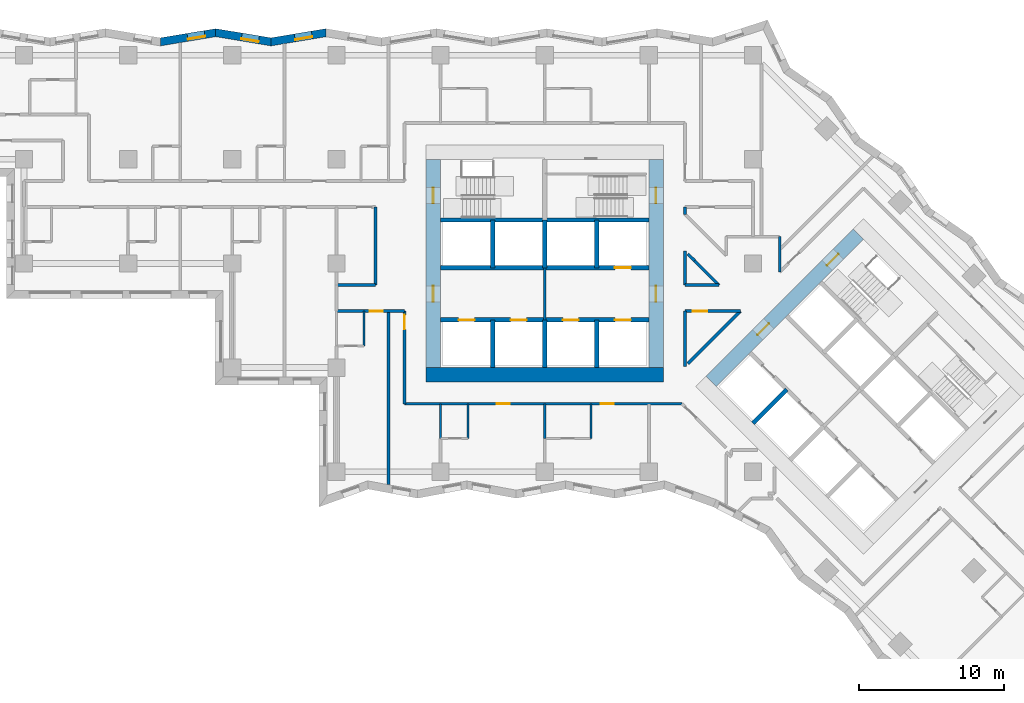
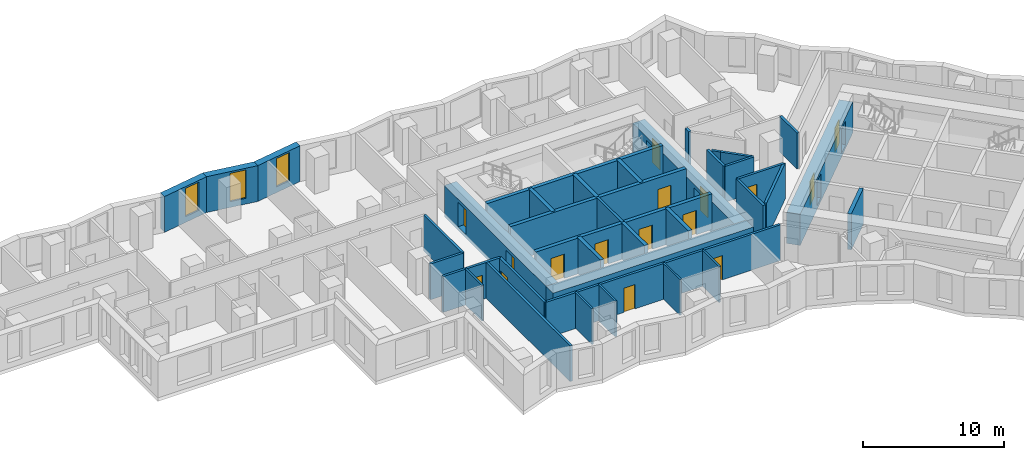
# One storey, part 5 of 13: 39 walls, 16 doors, 3 windows, 19 openings.
"""IFC4 building model written with IfcOpenShell, lengths in metres."""

from ifc_helpers import new_model, si_unit, direction, frame, frame_2d, origin, place, context, subcontext, project, spatial, polyline, rectangle, outline, extrude, material, layer, layer_set, type_object, element, fill, save


model = new_model("IFC4")

# Units and contexts
model_context = context("Model", 3, precision=1e-05, world=origin(), true_north=direction((0.0, 1.0)))
body_context = subcontext(model_context, "Body", "Model", "MODEL_VIEW")
ifc_project = project(units=[si_unit("LENGTHUNIT", "METRE"), si_unit("AREAUNIT", "SQUARE_METRE"), si_unit("VOLUMEUNIT", "CUBIC_METRE"), si_unit("PLANEANGLEUNIT", "RADIAN"), si_unit("MASSUNIT", "GRAM", prefix="KILO")], contexts=[model_context])

# Site, building, storey
site_placement = place(None, origin())
site = spatial("IfcSite", under=ifc_project, at=site_placement, CompositionType="ELEMENT")
building_placement = place(site_placement, origin())
building = spatial("IfcBuilding", under=site, at=building_placement, Name="Windrow Commons", CompositionType="ELEMENT")
storey_placement = place(building_placement, frame((0.0, 0.0, 64.4)))
storey = spatial("IfcBuildingStorey", under=building, at=storey_placement, Name="L17", CompositionType="ELEMENT", Elevation=64.4)

# Wall, opening, window
ifc_material_1 = material(Name="Brick masonry, red clay brick", Category="masonry")
ifc_layer_1 = layer(ifc_material_1, 0.55)
ifc_layer_set_1 = layer_set([ifc_layer_1], Name="Brick facade wall 550")
wall_type_1 = type_object("IfcWallType", Name="Brick facade wall 550", PredefinedType="SOLIDWALL", material=ifc_layer_set_1)
wall_1_placement = place(storey_placement, frame((49.6853, 73.5542, 0.0), z_axis=(0.0, 0.0, 1.0), x_axis=(-0.9865110911, -0.1636944324, 0.0)))
wall_1 = element("IfcWall", 1, at=wall_1_placement, inside=storey, type_object=wall_type_1, Name="Brick facade wall L17 31", PredefinedType="SOLIDWALL", context=body_context, shape_type="SweptSolid", body=[
    extrude(outline(polyline([(-0.0456, -0.275), (3.8213, -0.275), (3.9126, 0.275), (0.0456, 0.275), (-0.0456, -0.275)])), origin(), (0.0, 0.0, 1.0), 3.1),
])
opening_1_placement = place(wall_1_placement, frame((0.9852, 0.0, 0.5)))
opening_1 = element("IfcOpeningElement", 2, at=opening_1_placement, cuts=wall_1, Name="Opening W7D", PredefinedType="OPENING", context=body_context, shape_type="SweptSolid", body=[
    extrude(rectangle(XDim=1.2, YDim=2.45, at=frame_2d((0.6, 1.225))), frame((0.0, 0.285, 0.0), z_axis=(0.0, -1.0, 0.0), x_axis=(1.0, 0.0, 0.0)), (0.0, 0.0, 1.0), 0.57),
])
ifc_material_2 = material(Name="Clear float glass in anodised aluminium frame", Category="aluminium")
window_type = type_object("IfcWindowType", Name="Window W7 notch 1200x2450", PartitioningType="SINGLE_PANEL", PredefinedType="WINDOW", material=ifc_material_2)
window_1_placement = place(opening_1_placement, origin())
window_1 = element("IfcWindow", 3, at=window_1_placement, inside=storey, type_object=window_type, Name="Window L17 31.1", OverallHeight=2.45, OverallWidth=1.2, PartitioningType="SINGLE_PANEL", PredefinedType="WINDOW", context=body_context, shape_type="SweptSolid", body=[
    extrude(rectangle(XDim=1.2, YDim=2.45, at=frame_2d((0.6, 1.225))), frame((0.0, 0.155, 0.0), z_axis=(0.0, -1.0, 0.0), x_axis=(1.0, 0.0, 0.0)), (0.0, 0.0, 1.0), 0.06),
])
fill(opening_1, window_1)

wall_2_placement = place(storey_placement, frame((45.8705, 72.9212, 0.0), z_axis=(0.0, 0.0, 1.0), x_axis=(-0.9865110911, 0.1636944324, 0.0)))
wall_2 = element("IfcWall", 4, at=wall_2_placement, inside=storey, type_object=wall_type_1, Name="Brick facade wall L17 32", PredefinedType="SOLIDWALL", context=body_context, shape_type="SweptSolid", body=[
    extrude(outline(polyline([(0.0456, -0.275), (3.9126, -0.275), (3.8213, 0.275), (-0.0456, 0.275), (0.0456, -0.275)])), origin(), (0.0, 0.0, 1.0), 3.1),
])
opening_2_placement = place(wall_2_placement, frame((0.8535, 0.0, 0.5)))
opening_2 = element("IfcOpeningElement", 5, at=opening_2_placement, cuts=wall_2, Name="Opening W7D", PredefinedType="OPENING", context=body_context, shape_type="SweptSolid", body=[
    extrude(rectangle(XDim=1.2, YDim=2.45, at=frame_2d((0.6, 1.225))), frame((0.0, 0.285, 0.0), z_axis=(0.0, -1.0, 0.0), x_axis=(1.0, 0.0, 0.0)), (0.0, 0.0, 1.0), 0.57),
])
window_2_placement = place(opening_2_placement, origin())
window_2 = element("IfcWindow", 6, at=window_2_placement, inside=storey, type_object=window_type, Name="Window L17 32.1", OverallHeight=2.45, OverallWidth=1.2, PartitioningType="SINGLE_PANEL", PredefinedType="WINDOW", context=body_context, shape_type="SweptSolid", body=[
    extrude(rectangle(XDim=1.2, YDim=2.45, at=frame_2d((0.6, 1.225))), frame((0.0, 0.155, 0.0), z_axis=(0.0, -1.0, 0.0), x_axis=(1.0, 0.0, 0.0)), (0.0, 0.0, 1.0), 0.06),
])
fill(opening_2, window_2)

wall_3_placement = place(storey_placement, frame((42.0557, 73.5542, 0.0), z_axis=(0.0, 0.0, 1.0), x_axis=(-0.9865110911, -0.1636944324, 0.0)))
wall_3 = element("IfcWall", 7, at=wall_3_placement, inside=storey, type_object=wall_type_1, Name="Brick facade wall L17 33", PredefinedType="SOLIDWALL", context=body_context, shape_type="SweptSolid", body=[
    extrude(outline(polyline([(-0.0456, -0.275), (3.8213, -0.275), (3.9126, 0.275), (0.0456, 0.275), (-0.0456, -0.275)])), origin(), (0.0, 0.0, 1.0), 3.1),
])
opening_3_placement = place(wall_3_placement, frame((0.7675, 0.0, 0.5)))
opening_3 = element("IfcOpeningElement", 8, at=opening_3_placement, cuts=wall_3, Name="Opening W7D", PredefinedType="OPENING", context=body_context, shape_type="SweptSolid", body=[
    extrude(rectangle(XDim=1.2, YDim=2.45, at=frame_2d((0.6, 1.225))), frame((0.0, 0.285, 0.0), z_axis=(0.0, -1.0, 0.0), x_axis=(1.0, 0.0, 0.0)), (0.0, 0.0, 1.0), 0.57),
])
window_3_placement = place(opening_3_placement, origin())
window_3 = element("IfcWindow", 9, at=window_3_placement, inside=storey, type_object=window_type, Name="Window L17 33.1", OverallHeight=2.45, OverallWidth=1.2, PartitioningType="SINGLE_PANEL", PredefinedType="WINDOW", context=body_context, shape_type="SweptSolid", body=[
    extrude(rectangle(XDim=1.2, YDim=2.45, at=frame_2d((0.6, 1.225))), frame((0.0, 0.155, 0.0), z_axis=(0.0, -1.0, 0.0), x_axis=(1.0, 0.0, 0.0)), (0.0, 0.0, 1.0), 0.06),
])
fill(opening_3, window_3)

# Wall
ifc_material_3 = material(Name="Blockwork partition", Category="masonry")
ifc_layer_2 = layer(ifc_material_3, 0.2)
ifc_layer_set_2 = layer_set([ifc_layer_2], Name="Fire lobby partition 200")
wall_type_2 = type_object("IfcWallType", Name="Fire lobby partition 200", PredefinedType="PARTITIONING", material=ifc_layer_set_2)
wall_4_placement = place(storey_placement, frame((64.8, 53.7, 0.0), z_axis=(0.0, 0.0, 1.0), x_axis=(0.0, 1.0, 0.0)))
element("IfcWall", 10, at=wall_4_placement, inside=storey, type_object=wall_type_2, Name="W-core-lobby-A-L17", PredefinedType="PARTITIONING", context=body_context, shape_type="SweptSolid", body=[
    extrude(rectangle(XDim=3.6, YDim=0.2, at=frame_2d((1.8, 0.0))), origin(), (0.0, 0.0, 1.0), 3.1),
])

# Wall, openings, doors
ifc_material_4 = material(Name="Blockwork partition", Category="masonry")
ifc_layer_3 = layer(ifc_material_4, 0.2)
ifc_layer_set_3 = layer_set([ifc_layer_3], Name="IW-CORRIDOR-200")
wall_type_3 = type_object("IfcWallType", Name="IW-CORRIDOR-200", PredefinedType="PARTITIONING", material=ifc_layer_set_3)
wall_5_placement = place(storey_placement, frame((55.1, 47.9, 0.0), z_axis=(0.0, 0.0, 1.0), x_axis=(1.0, 0.0, 0.0)))
wall_5 = element("IfcWall", 11, at=wall_5_placement, inside=storey, type_object=wall_type_3, Name="W-L17-W003", PredefinedType="PARTITIONING", context=body_context, shape_type="SweptSolid", body=[
    extrude(rectangle(XDim=19.208, YDim=0.2, at=frame_2d((9.604, 0.0))), origin(), (0.0, 0.0, 1.0), 3.1),
])
opening_4_placement = place(wall_5_placement, frame((6.3994, 0.0, 0.0)))
opening_4 = element("IfcOpeningElement", 12, at=opening_4_placement, cuts=wall_5, Name="Opening D109F", PredefinedType="OPENING", context=body_context, shape_type="SweptSolid", body=[
    extrude(rectangle(XDim=0.9, YDim=2.1, at=frame_2d((0.45, 1.05))), frame((0.0, 0.11, 0.0), z_axis=(0.0, -1.0, 0.0), x_axis=(1.0, 0.0, 0.0)), (0.0, 0.0, 1.0), 0.22),
])
opening_5_placement = place(wall_5_placement, frame((13.5607, 0.0, 0.0)))
opening_5 = element("IfcOpeningElement", 13, at=opening_5_placement, cuts=wall_5, Name="Opening D109F", PredefinedType="OPENING", context=body_context, shape_type="SweptSolid", body=[
    extrude(rectangle(XDim=0.9, YDim=2.1, at=frame_2d((0.45, 1.05))), frame((0.0, 0.11, 0.0), z_axis=(0.0, -1.0, 0.0), x_axis=(1.0, 0.0, 0.0)), (0.0, 0.0, 1.0), 0.22),
])
ifc_material_5 = material(Name="Timber door leaf", Category="wood")
door_type_1 = type_object("IfcDoorType", Name="DT-BEDROOM-900", OperationType="SINGLE_SWING_LEFT", PredefinedType="DOOR", material=ifc_material_5)
door_1_placement = place(opening_4_placement, origin())
door_1 = element("IfcDoor", 14, at=door_1_placement, inside=storey, type_object=door_type_1, Name="D-L17-D029", OperationType="SINGLE_SWING_LEFT", OverallHeight=2.1, OverallWidth=0.9, PredefinedType="DOOR", context=body_context, shape_type="SweptSolid", body=[
    extrude(rectangle(XDim=0.9, YDim=2.1, at=frame_2d((0.45, 1.05))), frame((0.0, 0.025, 0.0), z_axis=(0.0, -1.0, 0.0), x_axis=(1.0, 0.0, 0.0)), (0.0, 0.0, 1.0), 0.05),
])
fill(opening_4, door_1)
door_2_placement = place(opening_5_placement, origin())
door_2 = element("IfcDoor", 15, at=door_2_placement, inside=storey, type_object=door_type_1, Name="D-L17-D031", OperationType="SINGLE_SWING_LEFT", OverallHeight=2.1, OverallWidth=0.9, PredefinedType="DOOR", context=body_context, shape_type="SweptSolid", body=[
    extrude(rectangle(XDim=0.9, YDim=2.1, at=frame_2d((0.45, 1.05))), frame((0.0, 0.025, 0.0), z_axis=(0.0, -1.0, 0.0), x_axis=(1.0, 0.0, 0.0)), (0.0, 0.0, 1.0), 0.05),
])
fill(opening_5, door_2)

# Wall, opening, door
wall_6_placement = place(storey_placement, frame((55.1, 47.9, 0.0), z_axis=(0.0, 0.0, 1.0), x_axis=(0.0, 1.0, 0.0)))
wall_6 = element("IfcWall", 16, at=wall_6_placement, inside=storey, type_object=wall_type_3, Name="W-L17-W027", PredefinedType="PARTITIONING", context=body_context, shape_type="SweptSolid", body=[
    extrude(rectangle(XDim=6.4, YDim=0.2, at=frame_2d((3.2, 0.0))), origin(), (0.0, 0.0, 1.0), 3.1),
])
opening_6_placement = place(wall_6_placement, frame((5.1407, 0.0, 0.0)))
opening_6 = element("IfcOpeningElement", 17, at=opening_6_placement, cuts=wall_6, Name="Opening D310F", PredefinedType="OPENING", context=body_context, shape_type="SweptSolid", body=[
    extrude(rectangle(XDim=1.0, YDim=2.1, at=frame_2d((0.5, 1.05))), frame((0.0, 0.11, 0.0), z_axis=(0.0, -1.0, 0.0), x_axis=(1.0, 0.0, 0.0)), (0.0, 0.0, 1.0), 0.22),
])
ifc_material_6 = material(Name="Timber door leaf", Category="wood")
door_type_2 = type_object("IfcDoorType", Name="DT-AMENITY-1000", OperationType="SINGLE_SWING_LEFT", PredefinedType="DOOR", material=ifc_material_6)
door_3_placement = place(opening_6_placement, origin())
door_3 = element("IfcDoor", 18, at=door_3_placement, inside=storey, type_object=door_type_2, Name="D-L17-D024", OperationType="SINGLE_SWING_RIGHT", OverallHeight=2.1, OverallWidth=1.0, PredefinedType="DOOR", context=body_context, shape_type="SweptSolid", body=[
    extrude(rectangle(XDim=1.0, YDim=2.1, at=frame_2d((0.5, 1.05))), frame((0.0, 0.025, 0.0), z_axis=(0.0, -1.0, 0.0), x_axis=(1.0, 0.0, 0.0)), (0.0, 0.0, 1.0), 0.05),
])
fill(opening_6, door_3)

# Walls
wall_7_placement = place(storey_placement, frame((53.1, 56.102, 0.0), z_axis=(0.0, 0.0, 1.0), x_axis=(0.0, 1.0, 0.0)))
element("IfcWall", 19, at=wall_7_placement, inside=storey, type_object=wall_type_3, Name="W-L17-W035", PredefinedType="PARTITIONING", context=body_context, shape_type="SweptSolid", body=[
    extrude(rectangle(XDim=5.398, YDim=0.2, at=frame_2d((2.699, 0.0))), origin(), (0.0, 0.0, 1.0), 3.1),
])
wall_8_placement = place(storey_placement, frame((74.6987, 50.6713, 0.0), z_axis=(0.0, 0.0, 1.0), x_axis=(0.7071067812, 0.7071067812, 0.0)))
element("IfcWall", 20, at=wall_8_placement, inside=storey, type_object=wall_type_3, Name="W-L17-W036", PredefinedType="PARTITIONING", context=body_context, shape_type="SweptSolid", body=[
    extrude(rectangle(XDim=5.1308, YDim=0.2, at=frame_2d((2.5654, 0.0))), origin(), (0.0, 0.0, 1.0), 3.1),
])

# Wall, opening, door
wall_9_placement = place(storey_placement, frame((50.4, 54.3, 0.0), z_axis=(0.0, 0.0, 1.0), x_axis=(1.0, 0.0, 0.0)))
wall_9 = element("IfcWall", 21, at=wall_9_placement, inside=storey, type_object=wall_type_3, Name="W-L17-W039", PredefinedType="PARTITIONING", context=body_context, shape_type="SweptSolid", body=[
    extrude(rectangle(XDim=4.7, YDim=0.2, at=frame_2d((2.35, 0.0))), origin(), (0.0, 0.0, 1.0), 3.1),
])
opening_7_placement = place(wall_9_placement, frame((2.3, 0.0, 0.0)))
opening_7 = element("IfcOpeningElement", 22, at=opening_7_placement, cuts=wall_9, Name="Opening D109S", PredefinedType="OPENING", context=body_context, shape_type="SweptSolid", body=[
    extrude(rectangle(XDim=0.9, YDim=2.1, at=frame_2d((0.45, 1.05))), frame((0.0, 0.11, 0.0), z_axis=(0.0, -1.0, 0.0), x_axis=(1.0, 0.0, 0.0)), (0.0, 0.0, 1.0), 0.22),
])
door_4_placement = place(opening_7_placement, origin())
door_4 = element("IfcDoor", 23, at=door_4_placement, inside=storey, type_object=door_type_1, Name="D-L17-D022", OperationType="SINGLE_SWING_LEFT", OverallHeight=2.1, OverallWidth=0.9, PredefinedType="DOOR", context=body_context, shape_type="SweptSolid", body=[
    extrude(rectangle(XDim=0.9, YDim=2.1, at=frame_2d((0.45, 1.05))), frame((0.0, 0.025, 0.0), z_axis=(0.0, -1.0, 0.0), x_axis=(1.0, 0.0, 0.0)), (0.0, 0.0, 1.0), 0.05),
])
fill(opening_7, door_4)

# Wall
wall_10_placement = place(storey_placement, frame((74.5, 50.474, 0.0), z_axis=(0.0, 0.0, 1.0), x_axis=(0.0, 1.0, 0.0)))
element("IfcWall", 24, at=wall_10_placement, inside=storey, type_object=wall_type_3, Name="W-L17-W051", PredefinedType="PARTITIONING", context=body_context, shape_type="SweptSolid", body=[
    extrude(rectangle(XDim=3.826, YDim=0.2, at=frame_2d((1.913, 0.0))), origin(), (0.0, 0.0, 1.0), 3.1),
])

# Wall, opening, door
wall_11_placement = place(storey_placement, frame((74.502, 54.3, 0.0), z_axis=(0.0, 0.0, 1.0), x_axis=(1.0, 0.0, 0.0)))
wall_11 = element("IfcWall", 25, at=wall_11_placement, inside=storey, type_object=wall_type_3, Name="W-L17-W052", PredefinedType="PARTITIONING", context=body_context, shape_type="SweptSolid", body=[
    extrude(rectangle(XDim=3.824, YDim=0.2, at=frame_2d((1.912, 0.0))), origin(), (0.0, 0.0, 1.0), 3.1),
])
opening_8_placement = place(wall_11_placement, frame((0.5499, 0.0, 0.0)))
opening_8 = element("IfcOpeningElement", 26, at=opening_8_placement, cuts=wall_11, Name="Opening D310F", PredefinedType="OPENING", context=body_context, shape_type="SweptSolid", body=[
    extrude(rectangle(XDim=1.0, YDim=2.1, at=frame_2d((0.5, 1.05))), frame((0.0, 0.11, 0.0), z_axis=(0.0, -1.0, 0.0), x_axis=(1.0, 0.0, 0.0)), (0.0, 0.0, 1.0), 0.22),
])
door_5_placement = place(opening_8_placement, origin())
door_5 = element("IfcDoor", 27, at=door_5_placement, inside=storey, type_object=door_type_2, Name="D-L17-D000", OperationType="SINGLE_SWING_RIGHT", OverallHeight=2.1, OverallWidth=1.0, PredefinedType="DOOR", context=body_context, shape_type="SweptSolid", body=[
    extrude(rectangle(XDim=1.0, YDim=2.1, at=frame_2d((0.5, 1.05))), frame((0.0, 0.025, 0.0), z_axis=(0.0, -1.0, 0.0), x_axis=(1.0, 0.0, 0.0)), (0.0, 0.0, 1.0), 0.05),
])
fill(opening_8, door_5)

# Walls
wall_12_placement = place(storey_placement, frame((50.4, 56.1, 0.0), z_axis=(0.0, 0.0, 1.0), x_axis=(1.0, 0.0, 0.0)))
element("IfcWall", 28, at=wall_12_placement, inside=storey, type_object=wall_type_3, Name="W-L17-W066", PredefinedType="PARTITIONING", context=body_context, shape_type="SweptSolid", body=[
    extrude(rectangle(XDim=2.7, YDim=0.2, at=frame_2d((1.35, 0.0))), origin(), (0.0, 0.0, 1.0), 3.1),
])
wall_13_placement = place(storey_placement, frame((81.05, 57.024, 0.0), z_axis=(0.0, 0.0, 1.0), x_axis=(0.0, 1.0, 0.0)))
element("IfcWall", 29, at=wall_13_placement, inside=storey, type_object=wall_type_3, Name="W-L17-W071", PredefinedType="PARTITIONING", context=body_context, shape_type="SweptSolid", body=[
    extrude(rectangle(XDim=2.426, YDim=0.2, at=frame_2d((1.213, 0.0))), origin(), (0.0, 0.0, 1.0), 3.1),
])
wall_14_placement = place(storey_placement, frame((75.168, 57.786, 0.0), z_axis=(0.0, 0.0, 1.0), x_axis=(0.7066870088, -0.7075263045, 0.0)))
element("IfcWall", 30, at=wall_14_placement, inside=storey, type_object=wall_type_3, Name="W-L17-W109", PredefinedType="PARTITIONING", context=body_context, shape_type="SweptSolid", body=[
    extrude(rectangle(XDim=2.383, YDim=0.2, at=frame_2d((1.1915, 0.0))), origin(), (0.0, 0.0, 1.0), 3.1),
])
for number, where, z_axis, x_axis, name in (
    (31, (74.502, 56.1, 0.0), (0.0, 0.0, 1.0), (1.0, 0.0, 0.0), "W-L17-W110"),
    (32, (74.5, 56.102, 0.0), (0.0, 0.0, 1.0), (0.0, 1.0, 0.0), "W-L17-W111"),
):
    element("IfcWall", number, at=place(storey_placement, frame(where, z_axis=z_axis, x_axis=x_axis)), inside=storey, type_object=wall_type_3, Name=name, PredefinedType="PARTITIONING", context=body_context, shape_type="SweptSolid", body=[
        extrude(rectangle(XDim=2.352, YDim=0.2, at=frame_2d((1.176, 0.0))), origin(), (0.0, 0.0, 1.0), 3.1),
    ])
wall_15_placement = place(storey_placement, frame((74.7006, 58.2566, 0.0), z_axis=(0.0, 0.0, 1.0), x_axis=(0.7086128608, -0.7055974869, 0.0)))
element("IfcWall", 33, at=wall_15_placement, inside=storey, type_object=wall_type_3, Name="W-L17-W152", PredefinedType="PARTITIONING", context=body_context, shape_type="SweptSolid", body=[
    extrude(rectangle(XDim=0.6633, YDim=0.2, at=frame_2d((0.3317, 0.0))), origin(), (0.0, 0.0, 1.0), 3.1),
])
wall_16_placement = place(storey_placement, frame((74.5, 61.002, 0.0), z_axis=(0.0, 0.0, 1.0), x_axis=(0.0, 1.0, 0.0)))
element("IfcWall", 34, at=wall_16_placement, inside=storey, type_object=wall_type_3, Name="W-L17-W162", PredefinedType="PARTITIONING", context=body_context, shape_type="SweptSolid", body=[
    extrude(rectangle(XDim=0.498, YDim=0.2, at=frame_2d((0.249, 0.0))), origin(), (0.0, 0.0, 1.0), 3.1),
])
ifc_material_7 = material(Name="Blockwork partition", Category="masonry")
ifc_layer_4 = layer(ifc_material_7, 0.15)
ifc_layer_set_4 = layer_set([ifc_layer_4], Name="IW-ENSUITE-150")
wall_type_4 = type_object("IfcWallType", Name="IW-ENSUITE-150", PredefinedType="PARTITIONING", material=ifc_layer_set_4)
for number, where, z_axis, x_axis, name in (
    (35, (52.3, 51.9, 0.0), (0.0, 0.0, 1.0), (0.0, 1.0, 0.0), "W-L17-W090"),
    (36, (59.5, 45.5, 0.0), (0.0, 0.0, 1.0), (0.0, 1.0, 0.0), "W-L17-W092"),
    (37, (57.6, 45.5, 0.0), (0.0, 0.0, 1.0), (0.0, 1.0, 0.0), "W-L17-W093"),
    (38, (68.0, 45.5, 0.0), (0.0, 0.0, 1.0), (0.0, 1.0, 0.0), "W-L17-W094"),
    (39, (64.8, 45.5, 0.0), (0.0, 0.0, 1.0), (0.0, 1.0, 0.0), "W-L17-W095"),
):
    element("IfcWall", number, at=place(storey_placement, frame(where, z_axis=z_axis, x_axis=x_axis)), inside=storey, type_object=wall_type_4, Name=name, PredefinedType="PARTITIONING", context=body_context, shape_type="SweptSolid", body=[
        extrude(rectangle(XDim=2.4, YDim=0.15, at=frame_2d((1.2, 0.0))), origin(), (0.0, 0.0, 1.0), 3.1),
    ])
ifc_material_8 = material(Name="Blockwork partition", Category="masonry")
ifc_layer_5 = layer(ifc_material_8, 0.2)
ifc_layer_set_5 = layer_set([ifc_layer_5], Name="IW-PARTY-200")
wall_type_5 = type_object("IfcWallType", Name="IW-PARTY-200", PredefinedType="PARTITIONING", material=ifc_layer_set_5)
wall_17_placement = place(storey_placement, frame((54.0, 42.3004, 0.0), z_axis=(0.0, 0.0, 1.0), x_axis=(0.0, 1.0, 0.0)))
element("IfcWall", 40, at=wall_17_placement, inside=storey, type_object=wall_type_5, Name="W-L17-W007", PredefinedType="PARTITIONING", context=body_context, shape_type="SweptSolid", body=[
    extrude(rectangle(XDim=11.9996, YDim=0.2, at=frame_2d((5.9998, 0.0))), origin(), (0.0, 0.0, 1.0), 3.1),
])
ifc_material_9 = material(Name="Concrete C60/75", Category="concrete")
ifc_layer_6 = layer(ifc_material_9, 1.0)
ifc_layer_set_6 = layer_set([ifc_layer_6], Name="RC CORE WALL 1000 C60/75")
wall_type_6 = type_object("IfcWallType", Name="RC CORE WALL 1000 C60/75", PredefinedType="SHEAR", material=ifc_layer_set_6)
wall_18_placement = place(storey_placement, frame((56.6, 49.9, -0.3), z_axis=(0.0, 0.0, 1.0), x_axis=(1.0, 0.0, 0.0)))
element("IfcWall", 41, at=wall_18_placement, inside=storey, type_object=wall_type_6, Name="Core A wall outer-S", PredefinedType="SHEAR", context=body_context, shape_type="SweptSolid", body=[
    extrude(rectangle(XDim=16.4, YDim=1.0, at=frame_2d((8.2, 0.0))), origin(), (0.0, 0.0, 1.0), 2.7),
])

# Wall, openings, doors
wall_19_placement = place(storey_placement, frame((57.1, 50.4, -0.3), z_axis=(0.0, 0.0, 1.0), x_axis=(0.0, 1.0, 0.0)))
wall_19 = element("IfcWall", 42, at=wall_19_placement, inside=storey, type_object=wall_type_6, Name="Core A wall outer-W", PredefinedType="SHEAR", context=body_context, shape_type="SweptSolid", body=[
    extrude(rectangle(XDim=14.4, YDim=1.0, at=frame_2d((7.2, 0.0))), origin(), (0.0, 0.0, 1.0), 2.7),
])
opening_9_placement = place(wall_19_placement, frame((4.55, 0.0, 0.3)))
opening_9 = element("IfcOpeningElement", 43, at=opening_9_placement, cuts=wall_19, Name="Opening D6", PredefinedType="OPENING", context=body_context, shape_type="SweptSolid", body=[
    extrude(rectangle(XDim=1.1, YDim=2.1, at=frame_2d((0.55, 1.05))), frame((0.0, 0.51, 0.0), z_axis=(0.0, -1.0, 0.0), x_axis=(1.0, 0.0, 0.0)), (0.0, 0.0, 1.0), 1.02),
])
opening_10_placement = place(wall_19_placement, frame((11.35, 0.0, 0.3)))
opening_10 = element("IfcOpeningElement", 44, at=opening_10_placement, cuts=wall_19, Name="Opening D7", PredefinedType="OPENING", context=body_context, shape_type="SweptSolid", body=[
    extrude(rectangle(XDim=1.1, YDim=2.1, at=frame_2d((0.55, 1.05))), frame((0.0, 0.51, 0.0), z_axis=(0.0, -1.0, 0.0), x_axis=(1.0, 0.0, 0.0)), (0.0, 0.0, 1.0), 1.02),
])
ifc_material_10 = material(Name="Steel fire door leaf", Category="steel")
door_type_3 = type_object("IfcDoorType", Name="Core lobby door 1100", OperationType="SINGLE_SWING_LEFT", PredefinedType="DOOR", material=ifc_material_10)
door_6_placement = place(opening_9_placement, origin())
door_6 = element("IfcDoor", 45, at=door_6_placement, inside=storey, type_object=door_type_3, Name="Lift lobby door", OperationType="DOUBLE_DOOR_SINGLE_SWING", OverallHeight=2.1, OverallWidth=1.1, PredefinedType="DOOR", context=body_context, shape_type="SweptSolid", body=[
    extrude(rectangle(XDim=1.1, YDim=2.1, at=frame_2d((0.55, 1.05))), frame((0.0, 0.025, 0.0), z_axis=(0.0, -1.0, 0.0), x_axis=(1.0, 0.0, 0.0)), (0.0, 0.0, 1.0), 0.05),
])
fill(opening_9, door_6)
ifc_material_11 = material(Name="Steel fire door leaf", Category="steel")
door_type_4 = type_object("IfcDoorType", Name="Stair door 1100", OperationType="SINGLE_SWING_LEFT", PredefinedType="DOOR", material=ifc_material_11)
door_7_placement = place(opening_10_placement, origin())
door_7 = element("IfcDoor", 46, at=door_7_placement, inside=storey, type_object=door_type_4, Name="Stair door", OperationType="SINGLE_SWING_LEFT", OverallHeight=2.1, OverallWidth=1.1, PredefinedType="DOOR", context=body_context, shape_type="SweptSolid", body=[
    extrude(rectangle(XDim=1.1, YDim=2.1, at=frame_2d((0.55, 1.05))), frame((0.0, 0.025, 0.0), z_axis=(0.0, -1.0, 0.0), x_axis=(1.0, 0.0, 0.0)), (0.0, 0.0, 1.0), 0.05),
])
fill(opening_10, door_7)

wall_20_placement = place(storey_placement, frame((72.5, 50.4, -0.3), z_axis=(0.0, 0.0, 1.0), x_axis=(0.0, 1.0, 0.0)))
wall_20 = element("IfcWall", 47, at=wall_20_placement, inside=storey, type_object=wall_type_6, Name="Core A wall outer-E", PredefinedType="SHEAR", context=body_context, shape_type="SweptSolid", body=[
    extrude(rectangle(XDim=14.4, YDim=1.0, at=frame_2d((7.2, 0.0))), origin(), (0.0, 0.0, 1.0), 2.7),
])
opening_11_placement = place(wall_20_placement, frame((4.55, 0.0, 0.3)))
opening_11 = element("IfcOpeningElement", 48, at=opening_11_placement, cuts=wall_20, Name="Opening D6", PredefinedType="OPENING", context=body_context, shape_type="SweptSolid", body=[
    extrude(rectangle(XDim=1.1, YDim=2.1, at=frame_2d((0.55, 1.05))), frame((0.0, 0.51, 0.0), z_axis=(0.0, -1.0, 0.0), x_axis=(1.0, 0.0, 0.0)), (0.0, 0.0, 1.0), 1.02),
])
opening_12_placement = place(wall_20_placement, frame((11.35, 0.0, 0.3)))
opening_12 = element("IfcOpeningElement", 49, at=opening_12_placement, cuts=wall_20, Name="Opening D7", PredefinedType="OPENING", context=body_context, shape_type="SweptSolid", body=[
    extrude(rectangle(XDim=1.1, YDim=2.1, at=frame_2d((0.55, 1.05))), frame((0.0, 0.51, 0.0), z_axis=(0.0, -1.0, 0.0), x_axis=(1.0, 0.0, 0.0)), (0.0, 0.0, 1.0), 1.02),
])
door_8_placement = place(opening_11_placement, origin())
door_8 = element("IfcDoor", 50, at=door_8_placement, inside=storey, type_object=door_type_3, Name="Lift lobby door", OperationType="DOUBLE_DOOR_SINGLE_SWING", OverallHeight=2.1, OverallWidth=1.1, PredefinedType="DOOR", context=body_context, shape_type="SweptSolid", body=[
    extrude(rectangle(XDim=1.1, YDim=2.1, at=frame_2d((0.55, 1.05))), frame((0.0, 0.025, 0.0), z_axis=(0.0, -1.0, 0.0), x_axis=(1.0, 0.0, 0.0)), (0.0, 0.0, 1.0), 0.05),
])
fill(opening_11, door_8)
door_9_placement = place(opening_12_placement, origin())
door_9 = element("IfcDoor", 51, at=door_9_placement, inside=storey, type_object=door_type_4, Name="Stair door", OperationType="SINGLE_SWING_RIGHT", OverallHeight=2.1, OverallWidth=1.1, PredefinedType="DOOR", context=body_context, shape_type="SweptSolid", body=[
    extrude(rectangle(XDim=1.1, YDim=2.1, at=frame_2d((0.55, 1.05))), frame((0.0, 0.025, 0.0), z_axis=(0.0, -1.0, 0.0), x_axis=(1.0, 0.0, 0.0)), (0.0, 0.0, 1.0), 0.05),
])
fill(opening_12, door_9)

wall_21_placement = place(storey_placement, frame((76.3009, 49.4433, -0.3), z_axis=(0.0, 0.0, 1.0), x_axis=(0.7071067812, 0.7071067812, 0.0)))
wall_21 = element("IfcWall", 52, at=wall_21_placement, inside=storey, type_object=wall_type_6, Name="Core B wall outer-W", PredefinedType="SHEAR", context=body_context, shape_type="SweptSolid", body=[
    extrude(rectangle(XDim=14.3999, YDim=1.0, at=frame_2d((7.2, 0.0))), origin(), (0.0, 0.0, 1.0), 2.7),
])
opening_13_placement = place(wall_21_placement, frame((4.55, 0.0, 0.3)))
opening_13 = element("IfcOpeningElement", 53, at=opening_13_placement, cuts=wall_21, Name="Opening D6", PredefinedType="OPENING", context=body_context, shape_type="SweptSolid", body=[
    extrude(rectangle(XDim=1.1, YDim=2.1, at=frame_2d((0.55, 1.05))), frame((0.0, 0.51, 0.0), z_axis=(0.0, -1.0, 0.0), x_axis=(1.0, 0.0, 0.0)), (0.0, 0.0, 1.0), 1.02),
])
opening_14_placement = place(wall_21_placement, frame((11.35, 0.0, 0.3)))
opening_14 = element("IfcOpeningElement", 54, at=opening_14_placement, cuts=wall_21, Name="Opening D7", PredefinedType="OPENING", context=body_context, shape_type="SweptSolid", body=[
    extrude(rectangle(XDim=1.1, YDim=2.1, at=frame_2d((0.55, 1.05))), frame((0.0, 0.51, 0.0), z_axis=(0.0, -1.0, 0.0), x_axis=(1.0, 0.0, 0.0)), (0.0, 0.0, 1.0), 1.02),
])
door_10_placement = place(opening_13_placement, origin())
door_10 = element("IfcDoor", 55, at=door_10_placement, inside=storey, type_object=door_type_3, Name="Lift lobby door", OperationType="DOUBLE_DOOR_SINGLE_SWING", OverallHeight=2.1, OverallWidth=1.1, PredefinedType="DOOR", context=body_context, shape_type="SweptSolid", body=[
    extrude(rectangle(XDim=1.1, YDim=2.1, at=frame_2d((0.55, 1.05))), frame((0.0, 0.025, 0.0), z_axis=(0.0, -1.0, 0.0), x_axis=(1.0, 0.0, 0.0)), (0.0, 0.0, 1.0), 0.05),
])
fill(opening_13, door_10)
door_11_placement = place(opening_14_placement, origin())
door_11 = element("IfcDoor", 56, at=door_11_placement, inside=storey, type_object=door_type_4, Name="Stair door", OperationType="SINGLE_SWING_LEFT", OverallHeight=2.1, OverallWidth=1.1, PredefinedType="DOOR", context=body_context, shape_type="SweptSolid", body=[
    extrude(rectangle(XDim=1.1, YDim=2.1, at=frame_2d((0.55, 1.05))), frame((0.0, 0.025, 0.0), z_axis=(0.0, -1.0, 0.0), x_axis=(1.0, 0.0, 0.0)), (0.0, 0.0, 1.0), 0.05),
])
fill(opening_14, door_11)

# Walls
ifc_material_12 = material(Name="Concrete C60/75", Category="concrete")
ifc_layer_7 = layer(ifc_material_12, 0.3)
ifc_layer_set_7 = layer_set([ifc_layer_7], Name="RC SHAFT WALL 300 C60/75")
wall_type_7 = type_object("IfcWallType", Name="RC SHAFT WALL 300 C60/75", PredefinedType="SOLIDWALL", material=ifc_layer_set_7)
for number, where, z_axis, x_axis, name in (
    (57, (61.2, 50.4, 0.0), (0.0, 0.0, 1.0), (0.0, 1.0, 0.0), "Core A wall shaft-S1"),
    (58, (61.2, 57.3, 0.0), (0.0, 0.0, 1.0), (0.0, 1.0, 0.0), "Core A wall shaft-N1"),
    (59, (64.8, 50.4, 0.0), (0.0, 0.0, 1.0), (0.0, 1.0, 0.0), "Core A wall shaft-S2"),
    (60, (64.8, 57.3, 0.0), (0.0, 0.0, 1.0), (0.0, 1.0, 0.0), "Core A wall shaft-N2"),
    (61, (68.4, 50.4, 0.0), (0.0, 0.0, 1.0), (0.0, 1.0, 0.0), "Core A wall shaft-S3"),
    (62, (68.4, 57.3, 0.0), (0.0, 0.0, 1.0), (0.0, 1.0, 0.0), "Core A wall shaft-N3"),
):
    element("IfcWall", number, at=place(storey_placement, frame(where, z_axis=z_axis, x_axis=x_axis)), inside=storey, type_object=wall_type_7, Name=name, PredefinedType="SOLIDWALL", context=body_context, shape_type="SweptSolid", body=[
        extrude(rectangle(XDim=3.3, YDim=0.3, at=frame_2d((1.65, 0.0))), origin(), (0.0, 0.0, 1.0), 3.1),
    ])

# Wall, openings, doors
wall_22_placement = place(storey_placement, frame((57.6, 53.7, 0.0), z_axis=(0.0, 0.0, 1.0), x_axis=(1.0, 0.0, 0.0)))
wall_22 = element("IfcWall", 63, at=wall_22_placement, inside=storey, type_object=wall_type_7, Name="Core A wall lobby-S", PredefinedType="SOLIDWALL", context=body_context, shape_type="SweptSolid", body=[
    extrude(rectangle(XDim=14.4, YDim=0.3, at=frame_2d((7.2, 0.0))), origin(), (0.0, 0.0, 1.0), 3.1),
])
opening_15_placement = place(wall_22_placement, frame((1.25, 0.0, 0.0)))
opening_15 = element("IfcOpeningElement", 64, at=opening_15_placement, cuts=wall_22, Name="Opening LD", PredefinedType="OPENING", context=body_context, shape_type="SweptSolid", body=[
    extrude(rectangle(XDim=1.1, YDim=2.1, at=frame_2d((0.55, 1.05))), frame((0.0, 0.16, 0.0), z_axis=(0.0, -1.0, 0.0), x_axis=(1.0, 0.0, 0.0)), (0.0, 0.0, 1.0), 0.32),
])
opening_16_placement = place(wall_22_placement, frame((4.85, 0.0, 0.0)))
opening_16 = element("IfcOpeningElement", 65, at=opening_16_placement, cuts=wall_22, Name="Opening LD", PredefinedType="OPENING", context=body_context, shape_type="SweptSolid", body=[
    extrude(rectangle(XDim=1.1, YDim=2.1, at=frame_2d((0.55, 1.05))), frame((0.0, 0.16, 0.0), z_axis=(0.0, -1.0, 0.0), x_axis=(1.0, 0.0, 0.0)), (0.0, 0.0, 1.0), 0.32),
])
opening_17_placement = place(wall_22_placement, frame((8.45, 0.0, 0.0)))
opening_17 = element("IfcOpeningElement", 66, at=opening_17_placement, cuts=wall_22, Name="Opening LD", PredefinedType="OPENING", context=body_context, shape_type="SweptSolid", body=[
    extrude(rectangle(XDim=1.1, YDim=2.1, at=frame_2d((0.55, 1.05))), frame((0.0, 0.16, 0.0), z_axis=(0.0, -1.0, 0.0), x_axis=(1.0, 0.0, 0.0)), (0.0, 0.0, 1.0), 0.32),
])
opening_18_placement = place(wall_22_placement, frame((12.05, 0.0, 0.0)))
opening_18 = element("IfcOpeningElement", 67, at=opening_18_placement, cuts=wall_22, Name="Opening LD", PredefinedType="OPENING", context=body_context, shape_type="SweptSolid", body=[
    extrude(rectangle(XDim=1.1, YDim=2.1, at=frame_2d((0.55, 1.05))), frame((0.0, 0.16, 0.0), z_axis=(0.0, -1.0, 0.0), x_axis=(1.0, 0.0, 0.0)), (0.0, 0.0, 1.0), 0.32),
])
ifc_material_13 = material(Name="Stainless steel door leaf", Category="steel")
door_type_5 = type_object("IfcDoorType", Name="Lift landing door 1100", OperationType="SLIDING_TO_LEFT", PredefinedType="DOOR", material=ifc_material_13)
door_12_placement = place(opening_15_placement, origin())
door_12 = element("IfcDoor", 68, at=door_12_placement, inside=storey, type_object=door_type_5, Name="Lift landing door", OperationType="SLIDING_TO_LEFT", OverallHeight=2.1, OverallWidth=1.1, PredefinedType="DOOR", context=body_context, shape_type="SweptSolid", body=[
    extrude(rectangle(XDim=1.1, YDim=2.1, at=frame_2d((0.55, 1.05))), frame((0.0, 0.025, 0.0), z_axis=(0.0, -1.0, 0.0), x_axis=(1.0, 0.0, 0.0)), (0.0, 0.0, 1.0), 0.05),
])
fill(opening_15, door_12)
door_13_placement = place(opening_16_placement, origin())
door_13 = element("IfcDoor", 69, at=door_13_placement, inside=storey, type_object=door_type_5, Name="Lift landing door", OperationType="SLIDING_TO_RIGHT", OverallHeight=2.1, OverallWidth=1.1, PredefinedType="DOOR", context=body_context, shape_type="SweptSolid", body=[
    extrude(rectangle(XDim=1.1, YDim=2.1, at=frame_2d((0.55, 1.05))), frame((0.0, 0.025, 0.0), z_axis=(0.0, -1.0, 0.0), x_axis=(1.0, 0.0, 0.0)), (0.0, 0.0, 1.0), 0.05),
])
fill(opening_16, door_13)
door_14_placement = place(opening_17_placement, origin())
door_14 = element("IfcDoor", 70, at=door_14_placement, inside=storey, type_object=door_type_5, Name="Lift landing door", OperationType="SLIDING_TO_LEFT", OverallHeight=2.1, OverallWidth=1.1, PredefinedType="DOOR", context=body_context, shape_type="SweptSolid", body=[
    extrude(rectangle(XDim=1.1, YDim=2.1, at=frame_2d((0.55, 1.05))), frame((0.0, 0.025, 0.0), z_axis=(0.0, -1.0, 0.0), x_axis=(1.0, 0.0, 0.0)), (0.0, 0.0, 1.0), 0.05),
])
fill(opening_17, door_14)
door_15_placement = place(opening_18_placement, origin())
door_15 = element("IfcDoor", 71, at=door_15_placement, inside=storey, type_object=door_type_5, Name="Lift landing door", OperationType="SLIDING_TO_RIGHT", OverallHeight=2.1, OverallWidth=1.1, PredefinedType="DOOR", context=body_context, shape_type="SweptSolid", body=[
    extrude(rectangle(XDim=1.1, YDim=2.1, at=frame_2d((0.55, 1.05))), frame((0.0, 0.025, 0.0), z_axis=(0.0, -1.0, 0.0), x_axis=(1.0, 0.0, 0.0)), (0.0, 0.0, 1.0), 0.05),
])
fill(opening_18, door_15)

# Wall, opening, door
wall_23_placement = place(storey_placement, frame((57.6, 57.3, 0.0), z_axis=(0.0, 0.0, 1.0), x_axis=(1.0, 0.0, 0.0)))
wall_23 = element("IfcWall", 72, at=wall_23_placement, inside=storey, type_object=wall_type_7, Name="Core A wall lobby-N", PredefinedType="SOLIDWALL", context=body_context, shape_type="SweptSolid", body=[
    extrude(rectangle(XDim=14.4, YDim=0.3, at=frame_2d((7.2, 0.0))), origin(), (0.0, 0.0, 1.0), 3.1),
])
opening_19_placement = place(wall_23_placement, frame((12.05, 0.0, 0.0)))
opening_19 = element("IfcOpeningElement", 73, at=opening_19_placement, cuts=wall_23, Name="Opening LD", PredefinedType="OPENING", context=body_context, shape_type="SweptSolid", body=[
    extrude(rectangle(XDim=1.1, YDim=2.1, at=frame_2d((0.55, 1.05))), frame((0.0, 0.16, 0.0), z_axis=(0.0, -1.0, 0.0), x_axis=(1.0, 0.0, 0.0)), (0.0, 0.0, 1.0), 0.32),
])
door_16_placement = place(opening_19_placement, origin())
door_16 = element("IfcDoor", 74, at=door_16_placement, inside=storey, type_object=door_type_5, Name="Lift landing door", OperationType="SLIDING_TO_RIGHT", OverallHeight=2.1, OverallWidth=1.1, PredefinedType="DOOR", context=body_context, shape_type="SweptSolid", body=[
    extrude(rectangle(XDim=1.1, YDim=2.1, at=frame_2d((0.55, 1.05))), frame((0.0, 0.025, 0.0), z_axis=(0.0, -1.0, 0.0), x_axis=(1.0, 0.0, 0.0)), (0.0, 0.0, 1.0), 0.05),
])
fill(opening_19, door_16)

# Walls
for number, where, z_axis, x_axis, name in (
    (75, (57.6, 60.6, 0.0), (0.0, 0.0, 1.0), (1.0, 0.0, 0.0), "Core A wall stair-S"),
    (76, (64.8, 60.6, 0.0), (0.0, 0.0, 1.0), (1.0, 0.0, 0.0), "Core A wall stair-S2"),
):
    element("IfcWall", number, at=place(storey_placement, frame(where, z_axis=z_axis, x_axis=x_axis)), inside=storey, type_object=wall_type_7, Name=name, PredefinedType="SOLIDWALL", context=body_context, shape_type="SweptSolid", body=[
        extrude(rectangle(XDim=7.2, YDim=0.3, at=frame_2d((3.6, 0.0))), origin(), (0.0, 0.0, 1.0), 3.1),
    ])
wall_24_placement = place(storey_placement, frame((79.2, 46.5442, 0.0), z_axis=(0.0, 0.0, 1.0), x_axis=(0.7071219326, 0.7070916295, 0.0)))
element("IfcWall", 77, at=wall_24_placement, inside=storey, type_object=wall_type_7, Name="Core B wall shaft-S1", PredefinedType="SOLIDWALL", context=body_context, shape_type="SweptSolid", body=[
    extrude(rectangle(XDim=3.3, YDim=0.3, at=frame_2d((1.65, 0.0))), origin(), (0.0, 0.0, 1.0), 3.1),
])

save(model, "model.ifc")
